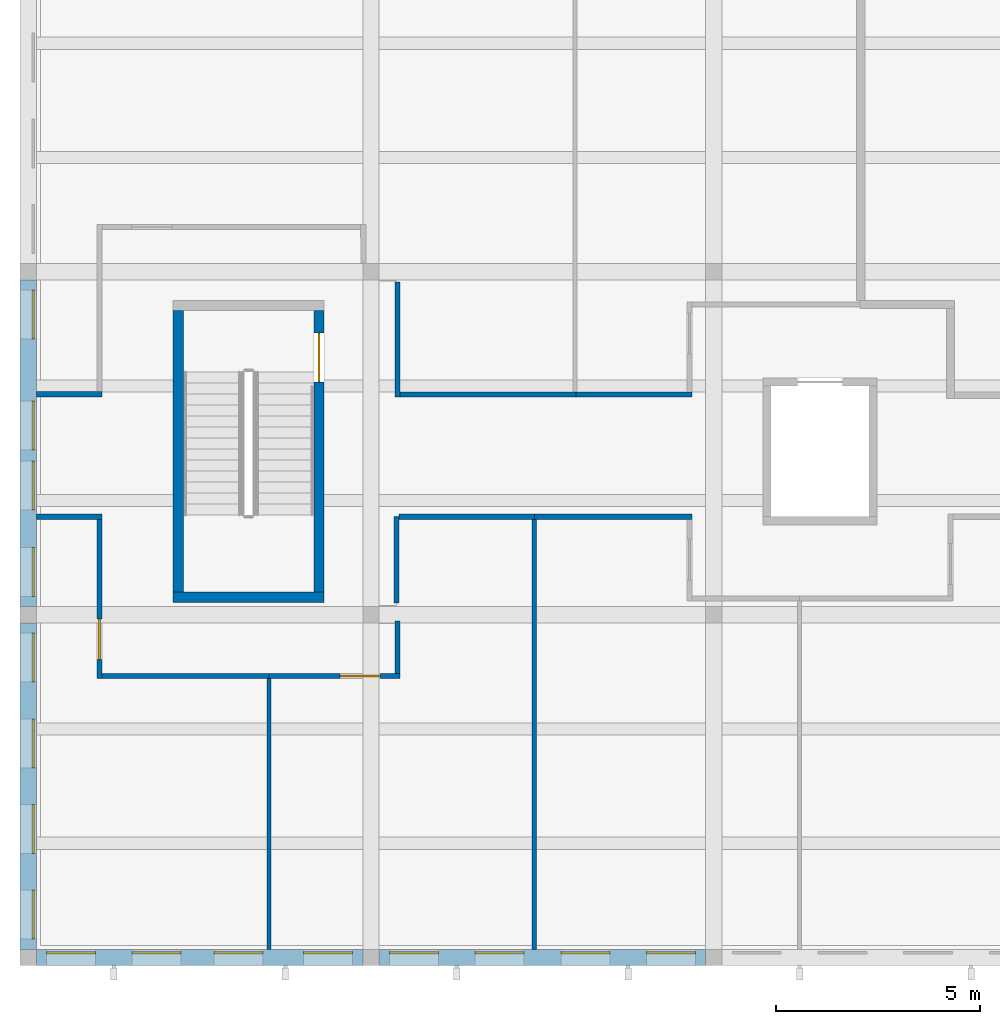
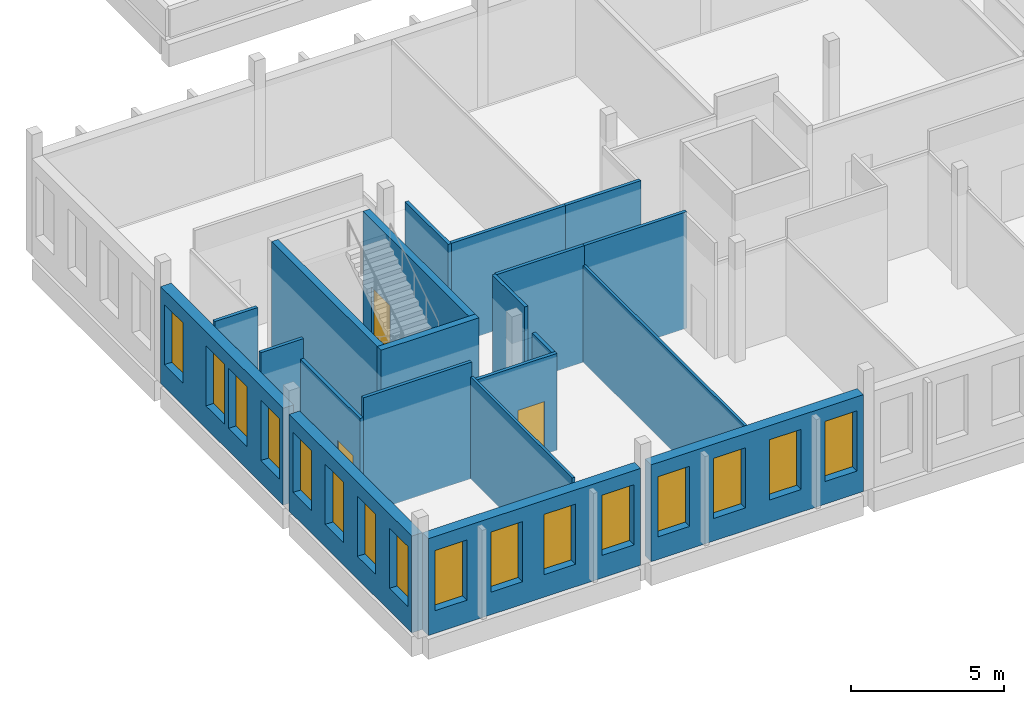
# One storey, part 8 of 79: 21 walls, 16 windows, 3 doors, 19 openings.
"""IFC4 building model written with IfcOpenShell, lengths in metres."""

from ifc_helpers import new_model, si_unit, direction, frame, frame_2d, origin, place, context, subcontext, project, spatial, rectangle, extrude, material, layer, layer_set, type_object, element, fill, save


model = new_model("IFC4")

# Units and contexts
model_context = context("Model", 3, precision=1e-05, world=origin(), true_north=direction((0.0, 1.0)))
body_context = subcontext(model_context, "Body", "Model", "MODEL_VIEW")
ifc_project = project(units=[si_unit("LENGTHUNIT", "METRE"), si_unit("AREAUNIT", "SQUARE_METRE"), si_unit("VOLUMEUNIT", "CUBIC_METRE"), si_unit("PLANEANGLEUNIT", "RADIAN"), si_unit("MASSUNIT", "GRAM", prefix="KILO")], contexts=[model_context])

# Site, building, storey
site_placement = place(None, origin())
site = spatial("IfcSite", under=ifc_project, at=site_placement, CompositionType="ELEMENT")
building_placement = place(site_placement, origin())
building = spatial("IfcBuilding", under=site, at=building_placement, Name="Larchfold Concert Hall", CompositionType="ELEMENT")
storey_placement = place(building_placement, frame((0.0, 0.0, 14.39990234375)))
storey = spatial("IfcBuildingStorey", under=building, at=storey_placement, Name="L03", CompositionType="ELEMENT", Elevation=14.39990234375)

# Wall
ifc_material_1 = material(Name="Plasterboard partition on steel studs", Category="steel")
ifc_layer_1 = layer(ifc_material_1, 0.125)
ifc_layer_set_1 = layer_set([ifc_layer_1], Name="Plasterboard partition on steel studs")
wall_type_1 = type_object("IfcWallType", Name="Corridor partition 125 EI 60", PredefinedType="PARTITIONING", material=ifc_layer_set_1)
wall_1_placement = place(storey_placement, frame((0.800048828125, 11.39990234375, 0.0), z_axis=(0.0, 0.0, 1.0), x_axis=(1.0, 0.0, 0.0)))
element("IfcWall", 1, at=wall_1_placement, inside=storey, type_object=wall_type_1, Name="Partition IW0061", PredefinedType="PARTITIONING", context=body_context, shape_type="SweptSolid", body=[
    extrude(rectangle(XDim=1.612548828125, YDim=0.125, at=frame_2d((0.80615234375, 0.0))), origin(), (0.0, 0.0, 1.0), 4.64013671875),
])

# Wall, opening, door
wall_2_placement = place(storey_placement, frame((2.35009765625, 11.33740234375, 0.0), z_axis=(0.0, 0.0, 1.0), x_axis=(0.0, -1.0, 0.0)))
wall_2 = element("IfcWall", 2, at=wall_2_placement, inside=storey, type_object=wall_type_1, Name="Partition IW0062", PredefinedType="PARTITIONING", context=body_context, shape_type="SweptSolid", body=[
    extrude(rectangle(XDim=3.89990234375, YDim=0.125, at=frame_2d((1.949951171875, 0.0))), origin(), (0.0, 0.0, 1.0), 3.860107421875),
])
opening_1_placement = place(wall_2_placement, frame((2.437255859375, 0.0, 0.0)))
opening_1 = element("IfcOpeningElement", 3, at=opening_1_placement, cuts=wall_2, Name="Opening D-L03-119", PredefinedType="OPENING", context=body_context, shape_type="SweptSolid", body=[
    extrude(rectangle(XDim=1.0, YDim=2.10009765625, at=frame_2d((0.5, 1.050048828125))), frame((0.0, 0.072509765625, 0.0), z_axis=(0.0, -1.0, 0.0), x_axis=(1.0, 0.0, 0.0)), (0.0, 0.0, 1.0), 0.14501953125),
])
ifc_material_2 = material(Name="Timber door leaf", Category="wood")
door_type_1 = type_object("IfcDoorType", Name="Room door 1000 x 2100 FD30S", OperationType="SINGLE_SWING_LEFT", PredefinedType="DOOR", material=ifc_material_2)
door_1_placement = place(opening_1_placement, origin())
door_1 = element("IfcDoor", 4, at=door_1_placement, inside=storey, type_object=door_type_1, Name="Door D-L03-119", OperationType="SINGLE_SWING_RIGHT", OverallHeight=2.10009765625, OverallWidth=1.0, PredefinedType="DOOR", context=body_context, shape_type="SweptSolid", body=[
    extrude(rectangle(XDim=1.0, YDim=2.10009765625, at=frame_2d((0.5, 1.050048828125))), frame((0.0, 0.02490234375, 0.0), z_axis=(0.0, -1.0, 0.0), x_axis=(1.0, 0.0, 0.0)), (0.0, 0.0, 1.0), 0.050048828125),
])
fill(opening_1, door_1)

# Walls
wall_3_placement = place(storey_placement, frame((2.41259765625, 7.5, 0.0), z_axis=(0.0, 0.0, 1.0), x_axis=(1.0, 0.0, 0.0)))
element("IfcWall", 5, at=wall_3_placement, inside=storey, type_object=wall_type_1, Name="Partition IW0063", PredefinedType="PARTITIONING", context=body_context, shape_type="SweptSolid", body=[
    extrude(rectangle(XDim=4.08740234375, YDim=0.125, at=frame_2d((2.043701171875, 0.0))), origin(), (0.0, 0.0, 1.0), 4.64013671875),
])
wall_4_placement = place(storey_placement, frame((13.0, 11.39990234375, 0.0), z_axis=(0.0, 0.0, 1.0), x_axis=(1.0, 0.0, 0.0)))
element("IfcWall", 6, at=wall_4_placement, inside=storey, type_object=wall_type_1, Name="Partition IW0066", PredefinedType="PARTITIONING", context=body_context, shape_type="SweptSolid", body=[
    extrude(rectangle(XDim=3.862548828125, YDim=0.125, at=frame_2d((1.93115234375, 0.0))), origin(), (0.0, 0.0, 1.0), 4.64013671875),
])

# Wall, opening, door
wall_5_placement = place(storey_placement, frame((6.5, 7.5, 0.0), z_axis=(0.0, 0.0, 1.0), x_axis=(1.0, 0.0, 0.0)))
wall_5 = element("IfcWall", 7, at=wall_5_placement, inside=storey, type_object=wall_type_1, Name="Partition IW0078", PredefinedType="PARTITIONING", context=body_context, shape_type="SweptSolid", body=[
    extrude(rectangle(XDim=3.21240234375, YDim=0.125, at=frame_2d((1.606201171875, 0.0))), origin(), (0.0, 0.0, 1.0), 3.860107421875),
])
opening_2_placement = place(wall_5_placement, frame((1.73681640625, 0.0, 0.0)))
opening_2 = element("IfcOpeningElement", 8, at=opening_2_placement, cuts=wall_5, Name="Opening D-L03-123", PredefinedType="OPENING", context=body_context, shape_type="SweptSolid", body=[
    extrude(rectangle(XDim=1.0, YDim=2.10009765625, at=frame_2d((0.5, 1.050048828125))), frame((0.0, 0.072509765625, 0.0), z_axis=(0.0, -1.0, 0.0), x_axis=(1.0, 0.0, 0.0)), (0.0, 0.0, 1.0), 0.14501953125),
])
door_2_placement = place(opening_2_placement, origin())
door_2 = element("IfcDoor", 9, at=door_2_placement, inside=storey, type_object=door_type_1, Name="Door D-L03-123", OperationType="SINGLE_SWING_RIGHT", OverallHeight=2.10009765625, OverallWidth=1.0, PredefinedType="DOOR", context=body_context, shape_type="SweptSolid", body=[
    extrude(rectangle(XDim=1.0, YDim=2.10009765625, at=frame_2d((0.5, 1.050048828125))), frame((0.0, 0.02490234375, 0.0), z_axis=(0.0, -1.0, 0.0), x_axis=(1.0, 0.0, 0.0)), (0.0, 0.0, 1.0), 0.050048828125),
])
fill(opening_2, door_2)

# Walls
wall_6_placement = place(storey_placement, frame((9.64990234375, 7.5625, 0.0), z_axis=(0.0, 0.0, 1.0), x_axis=(0.0, 1.0, 0.0)))
element("IfcWall", 10, at=wall_6_placement, inside=storey, type_object=wall_type_1, Name="Partition IW0079", PredefinedType="PARTITIONING", context=body_context, shape_type="SweptSolid", body=[
    extrude(rectangle(XDim=1.280029296875, YDim=0.125, at=frame_2d((0.64013671875, 0.0))), origin(), (0.0, 0.0, 1.0), 3.860107421875),
])
wall_7_placement = place(storey_placement, frame((9.6201171875, 9.282470703125, 0.0), z_axis=(0.0, 0.0, 1.0), x_axis=(0.0, 1.0, 0.0)))
element("IfcWall", 11, at=wall_7_placement, inside=storey, type_object=wall_type_1, Name="Partition IW0080", PredefinedType="PARTITIONING", context=body_context, shape_type="SweptSolid", body=[
    extrude(rectangle(XDim=2.118408203125, YDim=0.125, at=frame_2d((1.05908203125, 0.0))), origin(), (0.0, 0.0, 1.0), 4.64013671875),
])
wall_8_placement = place(storey_placement, frame((9.68505859375, 11.39990234375, 0.0), z_axis=(0.0, 0.0, 1.0), x_axis=(1.0, 0.0, 0.0)))
element("IfcWall", 12, at=wall_8_placement, inside=storey, type_object=wall_type_1, Name="Partition IW0081", PredefinedType="PARTITIONING", context=body_context, shape_type="SweptSolid", body=[
    extrude(rectangle(XDim=3.31494140625, YDim=0.125, at=frame_2d((1.657470703125, 0.0))), origin(), (0.0, 0.0, 1.0), 4.64013671875),
])
wall_9_placement = place(storey_placement, frame((0.800048828125, 14.39990234375, 0.0), z_axis=(0.0, 0.0, 1.0), x_axis=(1.0, 0.0, 0.0)))
element("IfcWall", 13, at=wall_9_placement, inside=storey, type_object=wall_type_1, Name="Partition IW0085", PredefinedType="PARTITIONING", context=body_context, shape_type="SweptSolid", body=[
    extrude(rectangle(XDim=1.613525390625, YDim=0.125, at=frame_2d((0.806640625, 0.0))), origin(), (0.0, 0.0, 1.0), 4.06005859375),
])
wall_10_placement = place(storey_placement, frame((9.64892578125, 17.1474609375, 0.0), z_axis=(0.0, 0.0, 1.0), x_axis=(0.00034740314, -0.999999939656, 0.0)))
element("IfcWall", 14, at=wall_10_placement, inside=storey, type_object=wall_type_1, Name="Partition IW0089", PredefinedType="PARTITIONING", context=body_context, shape_type="SweptSolid", body=[
    extrude(rectangle(XDim=2.81103515625, YDim=0.125, at=frame_2d((1.405517578125, 0.0))), origin(), (0.0, 0.0, 1.0), 4.06005859375),
])
wall_11_placement = place(storey_placement, frame((9.71240234375, 14.39892578125, 0.0), z_axis=(0.0, 0.0, 1.0), x_axis=(1.0, 0.0, 0.0)))
element("IfcWall", 15, at=wall_11_placement, inside=storey, type_object=wall_type_1, Name="Partition IW0090", PredefinedType="PARTITIONING", context=body_context, shape_type="SweptSolid", body=[
    extrude(rectangle(XDim=4.3076171875, YDim=0.125, at=frame_2d((2.15380859375, 0.0))), origin(), (0.0, 0.0, 1.0), 4.06005859375),
])
wall_12_placement = place(storey_placement, frame((14.02001953125, 14.39892578125, 0.0), z_axis=(0.0, 0.0, 1.0), x_axis=(1.0, 0.0, 0.0)))
element("IfcWall", 16, at=wall_12_placement, inside=storey, type_object=wall_type_1, Name="Partition IW0102", PredefinedType="PARTITIONING", context=body_context, shape_type="SweptSolid", body=[
    extrude(rectangle(XDim=2.842529296875, YDim=0.125, at=frame_2d((1.42138671875, 0.0))), origin(), (0.0, 0.0, 1.0), 4.06005859375),
])

# Wall, openings, windows
ifc_material_3 = material(Name="Larch cladding on mineral wool and CLT", Category="wood")
ifc_layer_2 = layer(ifc_material_3, 0.39990234375)
ifc_layer_set_2 = layer_set([ifc_layer_2], Name="Larch cladding on mineral wool and CLT")
wall_type_2 = type_object("IfcWallType", Name="Larch clad infill wall 400", PredefinedType="SOLIDWALL", material=ifc_layer_set_2)
wall_13_placement = place(storey_placement, frame((0.60009765625, 17.199951171875, 0.0), z_axis=(0.0, 0.0, 1.0), x_axis=(0.0, -1.0, 0.0)))
wall_13 = element("IfcWall", 17, at=wall_13_placement, inside=storey, type_object=wall_type_2, Name="Infill wall W5061", PredefinedType="SOLIDWALL", context=body_context, shape_type="SweptSolid", body=[
    extrude(rectangle(XDim=8.0, YDim=0.39990234375, at=frame_2d((4.0, 0.0))), origin(), (0.0, 0.0, 1.0), 3.860107421875),
])
opening_3_placement = place(wall_13_placement, frame((6.550048828125, 0.0, 0.89990234375)))
opening_3 = element("IfcOpeningElement", 18, at=opening_3_placement, cuts=wall_13, Name="Opening WN-L03-028", PredefinedType="OPENING", context=body_context, shape_type="SweptSolid", body=[
    extrude(rectangle(XDim=1.199951171875, YDim=2.39990234375, at=frame_2d((0.60009765625, 1.199951171875))), frame((0.0, 0.2099609375, 0.0), z_axis=(0.0, -1.0, 0.0), x_axis=(1.0, 0.0, 0.0)), (0.0, 0.0, 1.0), 0.419921875),
])
opening_4_placement = place(wall_13_placement, frame((4.43505859375, 0.0, 0.89990234375)))
opening_4 = element("IfcOpeningElement", 19, at=opening_4_placement, cuts=wall_13, Name="Opening WN-L03-029", PredefinedType="OPENING", context=body_context, shape_type="SweptSolid", body=[
    extrude(rectangle(XDim=1.199951171875, YDim=2.39990234375, at=frame_2d((0.60009765625, 1.199951171875))), frame((0.0, 0.2099609375, 0.0), z_axis=(0.0, -1.0, 0.0), x_axis=(1.0, 0.0, 0.0)), (0.0, 0.0, 1.0), 0.419921875),
])
opening_5_placement = place(wall_13_placement, frame((2.96484375, 0.0, 0.89990234375)))
opening_5 = element("IfcOpeningElement", 20, at=opening_5_placement, cuts=wall_13, Name="Opening WN-L03-030", PredefinedType="OPENING", context=body_context, shape_type="SweptSolid", body=[
    extrude(rectangle(XDim=1.199951171875, YDim=2.39990234375, at=frame_2d((0.60009765625, 1.199951171875))), frame((0.0, 0.2099609375, 0.0), z_axis=(0.0, -1.0, 0.0), x_axis=(1.0, 0.0, 0.0)), (0.0, 0.0, 1.0), 0.419921875),
])
opening_6_placement = place(wall_13_placement, frame((0.25, 0.0, 0.89990234375)))
opening_6 = element("IfcOpeningElement", 21, at=opening_6_placement, cuts=wall_13, Name="Opening WN-L03-031", PredefinedType="OPENING", context=body_context, shape_type="SweptSolid", body=[
    extrude(rectangle(XDim=1.199951171875, YDim=2.39990234375, at=frame_2d((0.60009765625, 1.199951171875))), frame((0.0, 0.2099609375, 0.0), z_axis=(0.0, -1.0, 0.0), x_axis=(1.0, 0.0, 0.0)), (0.0, 0.0, 1.0), 0.419921875),
])
ifc_material_4 = material(Name="Anodised graphite aluminium frame with glass", Category="aluminium")
window_type = type_object("IfcWindowType", Name="Slot window 1200x2400", PartitioningType="SINGLE_PANEL", PredefinedType="WINDOW", material=ifc_material_4)
window_1_placement = place(opening_3_placement, origin())
window_1 = element("IfcWindow", 22, at=window_1_placement, inside=storey, type_object=window_type, Name="Window WN-L03-028", OverallHeight=2.39990234375, OverallWidth=1.199951171875, PartitioningType="SINGLE_PANEL", PredefinedType="WINDOW", context=body_context, shape_type="SweptSolid", body=[
    extrude(rectangle(XDim=1.199951171875, YDim=2.39990234375, at=frame_2d((0.60009765625, 1.199951171875))), frame((0.0, 0.150146484375, 0.0), z_axis=(0.0, -1.0, 0.0), x_axis=(1.0, 0.0, 0.0)), (0.0, 0.0, 1.0), 0.06005859375),
])
fill(opening_3, window_1)
window_2_placement = place(opening_4_placement, origin())
window_2 = element("IfcWindow", 23, at=window_2_placement, inside=storey, type_object=window_type, Name="Window WN-L03-029", OverallHeight=2.39990234375, OverallWidth=1.199951171875, PartitioningType="SINGLE_PANEL", PredefinedType="WINDOW", context=body_context, shape_type="SweptSolid", body=[
    extrude(rectangle(XDim=1.199951171875, YDim=2.39990234375, at=frame_2d((0.60009765625, 1.199951171875))), frame((0.0, 0.150146484375, 0.0), z_axis=(0.0, -1.0, 0.0), x_axis=(1.0, 0.0, 0.0)), (0.0, 0.0, 1.0), 0.06005859375),
])
fill(opening_4, window_2)
window_3_placement = place(opening_5_placement, origin())
window_3 = element("IfcWindow", 24, at=window_3_placement, inside=storey, type_object=window_type, Name="Window WN-L03-030", OverallHeight=2.39990234375, OverallWidth=1.199951171875, PartitioningType="SINGLE_PANEL", PredefinedType="WINDOW", context=body_context, shape_type="SweptSolid", body=[
    extrude(rectangle(XDim=1.199951171875, YDim=2.39990234375, at=frame_2d((0.60009765625, 1.199951171875))), frame((0.0, 0.150146484375, 0.0), z_axis=(0.0, -1.0, 0.0), x_axis=(1.0, 0.0, 0.0)), (0.0, 0.0, 1.0), 0.06005859375),
])
fill(opening_5, window_3)
window_4_placement = place(opening_6_placement, origin())
window_4 = element("IfcWindow", 25, at=window_4_placement, inside=storey, type_object=window_type, Name="Window WN-L03-031", OverallHeight=2.39990234375, OverallWidth=1.199951171875, PartitioningType="SINGLE_PANEL", PredefinedType="WINDOW", context=body_context, shape_type="SweptSolid", body=[
    extrude(rectangle(XDim=1.199951171875, YDim=2.39990234375, at=frame_2d((0.60009765625, 1.199951171875))), frame((0.0, 0.150146484375, 0.0), z_axis=(0.0, -1.0, 0.0), x_axis=(1.0, 0.0, 0.0)), (0.0, 0.0, 1.0), 0.06005859375),
])
fill(opening_6, window_4)

wall_14_placement = place(storey_placement, frame((0.60009765625, 8.800048828125, 0.0), z_axis=(0.0, 0.0, 1.0), x_axis=(0.0, -1.0, 0.0)))
wall_14 = element("IfcWall", 26, at=wall_14_placement, inside=storey, type_object=wall_type_2, Name="Infill wall W5062", PredefinedType="SOLIDWALL", context=body_context, shape_type="SweptSolid", body=[
    extrude(rectangle(XDim=8.0, YDim=0.39990234375, at=frame_2d((4.0, 0.0))), origin(), (0.0, 0.0, 1.0), 3.860107421875),
])
opening_7_placement = place(wall_14_placement, frame((6.550048828125, 0.0, 0.89990234375)))
opening_7 = element("IfcOpeningElement", 27, at=opening_7_placement, cuts=wall_14, Name="Opening WN-L03-032", PredefinedType="OPENING", context=body_context, shape_type="SweptSolid", body=[
    extrude(rectangle(XDim=1.199951171875, YDim=2.39990234375, at=frame_2d((0.60009765625, 1.199951171875))), frame((0.0, 0.2099609375, 0.0), z_axis=(0.0, -1.0, 0.0), x_axis=(1.0, 0.0, 0.0)), (0.0, 0.0, 1.0), 0.419921875),
])
opening_8_placement = place(wall_14_placement, frame((4.449951171875, 0.0, 0.89990234375)))
opening_8 = element("IfcOpeningElement", 28, at=opening_8_placement, cuts=wall_14, Name="Opening WN-L03-033", PredefinedType="OPENING", context=body_context, shape_type="SweptSolid", body=[
    extrude(rectangle(XDim=1.199951171875, YDim=2.39990234375, at=frame_2d((0.60009765625, 1.199951171875))), frame((0.0, 0.2099609375, 0.0), z_axis=(0.0, -1.0, 0.0), x_axis=(1.0, 0.0, 0.0)), (0.0, 0.0, 1.0), 0.419921875),
])
opening_9_placement = place(wall_14_placement, frame((2.35009765625, 0.0, 0.89990234375)))
opening_9 = element("IfcOpeningElement", 29, at=opening_9_placement, cuts=wall_14, Name="Opening WN-L03-034", PredefinedType="OPENING", context=body_context, shape_type="SweptSolid", body=[
    extrude(rectangle(XDim=1.199951171875, YDim=2.39990234375, at=frame_2d((0.60009765625, 1.199951171875))), frame((0.0, 0.2099609375, 0.0), z_axis=(0.0, -1.0, 0.0), x_axis=(1.0, 0.0, 0.0)), (0.0, 0.0, 1.0), 0.419921875),
])
opening_10_placement = place(wall_14_placement, frame((0.25, 0.0, 0.89990234375)))
opening_10 = element("IfcOpeningElement", 30, at=opening_10_placement, cuts=wall_14, Name="Opening WN-L03-035", PredefinedType="OPENING", context=body_context, shape_type="SweptSolid", body=[
    extrude(rectangle(XDim=1.199951171875, YDim=2.39990234375, at=frame_2d((0.60009765625, 1.199951171875))), frame((0.0, 0.2099609375, 0.0), z_axis=(0.0, -1.0, 0.0), x_axis=(1.0, 0.0, 0.0)), (0.0, 0.0, 1.0), 0.419921875),
])
window_5_placement = place(opening_7_placement, origin())
window_5 = element("IfcWindow", 31, at=window_5_placement, inside=storey, type_object=window_type, Name="Window WN-L03-032", OverallHeight=2.39990234375, OverallWidth=1.199951171875, PartitioningType="SINGLE_PANEL", PredefinedType="WINDOW", context=body_context, shape_type="SweptSolid", body=[
    extrude(rectangle(XDim=1.199951171875, YDim=2.39990234375, at=frame_2d((0.60009765625, 1.199951171875))), frame((0.0, 0.150146484375, 0.0), z_axis=(0.0, -1.0, 0.0), x_axis=(1.0, 0.0, 0.0)), (0.0, 0.0, 1.0), 0.06005859375),
])
fill(opening_7, window_5)
window_6_placement = place(opening_8_placement, origin())
window_6 = element("IfcWindow", 32, at=window_6_placement, inside=storey, type_object=window_type, Name="Window WN-L03-033", OverallHeight=2.39990234375, OverallWidth=1.199951171875, PartitioningType="SINGLE_PANEL", PredefinedType="WINDOW", context=body_context, shape_type="SweptSolid", body=[
    extrude(rectangle(XDim=1.199951171875, YDim=2.39990234375, at=frame_2d((0.60009765625, 1.199951171875))), frame((0.0, 0.150146484375, 0.0), z_axis=(0.0, -1.0, 0.0), x_axis=(1.0, 0.0, 0.0)), (0.0, 0.0, 1.0), 0.06005859375),
])
fill(opening_8, window_6)
window_7_placement = place(opening_9_placement, origin())
window_7 = element("IfcWindow", 33, at=window_7_placement, inside=storey, type_object=window_type, Name="Window WN-L03-034", OverallHeight=2.39990234375, OverallWidth=1.199951171875, PartitioningType="SINGLE_PANEL", PredefinedType="WINDOW", context=body_context, shape_type="SweptSolid", body=[
    extrude(rectangle(XDim=1.199951171875, YDim=2.39990234375, at=frame_2d((0.60009765625, 1.199951171875))), frame((0.0, 0.150146484375, 0.0), z_axis=(0.0, -1.0, 0.0), x_axis=(1.0, 0.0, 0.0)), (0.0, 0.0, 1.0), 0.06005859375),
])
fill(opening_9, window_7)
window_8_placement = place(opening_10_placement, origin())
window_8 = element("IfcWindow", 34, at=window_8_placement, inside=storey, type_object=window_type, Name="Window WN-L03-035", OverallHeight=2.39990234375, OverallWidth=1.199951171875, PartitioningType="SINGLE_PANEL", PredefinedType="WINDOW", context=body_context, shape_type="SweptSolid", body=[
    extrude(rectangle(XDim=1.199951171875, YDim=2.39990234375, at=frame_2d((0.60009765625, 1.199951171875))), frame((0.0, 0.150146484375, 0.0), z_axis=(0.0, -1.0, 0.0), x_axis=(1.0, 0.0, 0.0)), (0.0, 0.0, 1.0), 0.06005859375),
])
fill(opening_10, window_8)

wall_15_placement = place(storey_placement, frame((0.800048828125, 0.60009765625, 0.0), z_axis=(0.0, 0.0, 1.0), x_axis=(1.0, 0.0, 0.0)))
wall_15 = element("IfcWall", 35, at=wall_15_placement, inside=storey, type_object=wall_type_2, Name="Infill wall W5063", PredefinedType="SOLIDWALL", context=body_context, shape_type="SweptSolid", body=[
    extrude(rectangle(XDim=8.0, YDim=0.39990234375, at=frame_2d((4.0, 0.0))), origin(), (0.0, 0.0, 1.0), 3.860107421875),
])
opening_11_placement = place(wall_15_placement, frame((0.25, 0.0, 0.89990234375)))
opening_11 = element("IfcOpeningElement", 36, at=opening_11_placement, cuts=wall_15, Name="Opening WN-L03-036", PredefinedType="OPENING", context=body_context, shape_type="SweptSolid", body=[
    extrude(rectangle(XDim=1.199951171875, YDim=2.39990234375, at=frame_2d((0.60009765625, 1.199951171875))), frame((0.0, 0.2099609375, 0.0), z_axis=(0.0, -1.0, 0.0), x_axis=(1.0, 0.0, 0.0)), (0.0, 0.0, 1.0), 0.419921875),
])
opening_12_placement = place(wall_15_placement, frame((2.349853515625, 0.0, 0.89990234375)))
opening_12 = element("IfcOpeningElement", 37, at=opening_12_placement, cuts=wall_15, Name="Opening WN-L03-037", PredefinedType="OPENING", context=body_context, shape_type="SweptSolid", body=[
    extrude(rectangle(XDim=1.199951171875, YDim=2.39990234375, at=frame_2d((0.60009765625, 1.199951171875))), frame((0.0, 0.2099609375, 0.0), z_axis=(0.0, -1.0, 0.0), x_axis=(1.0, 0.0, 0.0)), (0.0, 0.0, 1.0), 0.419921875),
])
opening_13_placement = place(wall_15_placement, frame((4.349853515625, 0.0, 0.89990234375)))
opening_13 = element("IfcOpeningElement", 38, at=opening_13_placement, cuts=wall_15, Name="Opening WN-L03-038", PredefinedType="OPENING", context=body_context, shape_type="SweptSolid", body=[
    extrude(rectangle(XDim=1.199951171875, YDim=2.39990234375, at=frame_2d((0.60009765625, 1.199951171875))), frame((0.0, 0.2099609375, 0.0), z_axis=(0.0, -1.0, 0.0), x_axis=(1.0, 0.0, 0.0)), (0.0, 0.0, 1.0), 0.419921875),
])
opening_14_placement = place(wall_15_placement, frame((6.550048828125, 0.0, 0.89990234375)))
opening_14 = element("IfcOpeningElement", 39, at=opening_14_placement, cuts=wall_15, Name="Opening WN-L03-039", PredefinedType="OPENING", context=body_context, shape_type="SweptSolid", body=[
    extrude(rectangle(XDim=1.199951171875, YDim=2.39990234375, at=frame_2d((0.60009765625, 1.199951171875))), frame((0.0, 0.2099609375, 0.0), z_axis=(0.0, -1.0, 0.0), x_axis=(1.0, 0.0, 0.0)), (0.0, 0.0, 1.0), 0.419921875),
])
window_9_placement = place(opening_11_placement, origin())
window_9 = element("IfcWindow", 40, at=window_9_placement, inside=storey, type_object=window_type, Name="Window WN-L03-036", OverallHeight=2.39990234375, OverallWidth=1.199951171875, PartitioningType="SINGLE_PANEL", PredefinedType="WINDOW", context=body_context, shape_type="SweptSolid", body=[
    extrude(rectangle(XDim=1.199951171875, YDim=2.39990234375, at=frame_2d((0.60009765625, 1.199951171875))), frame((0.0, 0.150146484375, 0.0), z_axis=(0.0, -1.0, 0.0), x_axis=(1.0, 0.0, 0.0)), (0.0, 0.0, 1.0), 0.06005859375),
])
fill(opening_11, window_9)
window_10_placement = place(opening_12_placement, origin())
window_10 = element("IfcWindow", 41, at=window_10_placement, inside=storey, type_object=window_type, Name="Window WN-L03-037", OverallHeight=2.39990234375, OverallWidth=1.199951171875, PartitioningType="SINGLE_PANEL", PredefinedType="WINDOW", context=body_context, shape_type="SweptSolid", body=[
    extrude(rectangle(XDim=1.199951171875, YDim=2.39990234375, at=frame_2d((0.60009765625, 1.199951171875))), frame((0.0, 0.150146484375, 0.0), z_axis=(0.0, -1.0, 0.0), x_axis=(1.0, 0.0, 0.0)), (0.0, 0.0, 1.0), 0.06005859375),
])
fill(opening_12, window_10)
window_11_placement = place(opening_13_placement, origin())
window_11 = element("IfcWindow", 42, at=window_11_placement, inside=storey, type_object=window_type, Name="Window WN-L03-038", OverallHeight=2.39990234375, OverallWidth=1.199951171875, PartitioningType="SINGLE_PANEL", PredefinedType="WINDOW", context=body_context, shape_type="SweptSolid", body=[
    extrude(rectangle(XDim=1.199951171875, YDim=2.39990234375, at=frame_2d((0.60009765625, 1.199951171875))), frame((0.0, 0.150146484375, 0.0), z_axis=(0.0, -1.0, 0.0), x_axis=(1.0, 0.0, 0.0)), (0.0, 0.0, 1.0), 0.06005859375),
])
fill(opening_13, window_11)
window_12_placement = place(opening_14_placement, origin())
window_12 = element("IfcWindow", 43, at=window_12_placement, inside=storey, type_object=window_type, Name="Window WN-L03-039", OverallHeight=2.39990234375, OverallWidth=1.199951171875, PartitioningType="SINGLE_PANEL", PredefinedType="WINDOW", context=body_context, shape_type="SweptSolid", body=[
    extrude(rectangle(XDim=1.199951171875, YDim=2.39990234375, at=frame_2d((0.60009765625, 1.199951171875))), frame((0.0, 0.150146484375, 0.0), z_axis=(0.0, -1.0, 0.0), x_axis=(1.0, 0.0, 0.0)), (0.0, 0.0, 1.0), 0.06005859375),
])
fill(opening_14, window_12)

wall_16_placement = place(storey_placement, frame((9.199951171875, 0.60009765625, 0.0), z_axis=(0.0, 0.0, 1.0), x_axis=(1.0, 0.0, 0.0)))
wall_16 = element("IfcWall", 44, at=wall_16_placement, inside=storey, type_object=wall_type_2, Name="Infill wall W5064", PredefinedType="SOLIDWALL", context=body_context, shape_type="SweptSolid", body=[
    extrude(rectangle(XDim=8.0, YDim=0.39990234375, at=frame_2d((4.0, 0.0))), origin(), (0.0, 0.0, 1.0), 3.860107421875),
])
opening_15_placement = place(wall_16_placement, frame((0.25, 0.0, 0.89990234375)))
opening_15 = element("IfcOpeningElement", 45, at=opening_15_placement, cuts=wall_16, Name="Opening WN-L03-040", PredefinedType="OPENING", context=body_context, shape_type="SweptSolid", body=[
    extrude(rectangle(XDim=1.199951171875, YDim=2.39990234375, at=frame_2d((0.60009765625, 1.199951171875))), frame((0.0, 0.2099609375, 0.0), z_axis=(0.0, -1.0, 0.0), x_axis=(1.0, 0.0, 0.0)), (0.0, 0.0, 1.0), 0.419921875),
])
opening_16_placement = place(wall_16_placement, frame((2.35009765625, 0.0, 0.89990234375)))
opening_16 = element("IfcOpeningElement", 46, at=opening_16_placement, cuts=wall_16, Name="Opening WN-L03-041", PredefinedType="OPENING", context=body_context, shape_type="SweptSolid", body=[
    extrude(rectangle(XDim=1.199951171875, YDim=2.39990234375, at=frame_2d((0.60009765625, 1.199951171875))), frame((0.0, 0.2099609375, 0.0), z_axis=(0.0, -1.0, 0.0), x_axis=(1.0, 0.0, 0.0)), (0.0, 0.0, 1.0), 0.419921875),
])
opening_17_placement = place(wall_16_placement, frame((4.449951171875, 0.0, 0.89990234375)))
opening_17 = element("IfcOpeningElement", 47, at=opening_17_placement, cuts=wall_16, Name="Opening WN-L03-042", PredefinedType="OPENING", context=body_context, shape_type="SweptSolid", body=[
    extrude(rectangle(XDim=1.199951171875, YDim=2.39990234375, at=frame_2d((0.60009765625, 1.199951171875))), frame((0.0, 0.2099609375, 0.0), z_axis=(0.0, -1.0, 0.0), x_axis=(1.0, 0.0, 0.0)), (0.0, 0.0, 1.0), 0.419921875),
])
opening_18_placement = place(wall_16_placement, frame((6.550048828125, 0.0, 0.89990234375)))
opening_18 = element("IfcOpeningElement", 48, at=opening_18_placement, cuts=wall_16, Name="Opening WN-L03-043", PredefinedType="OPENING", context=body_context, shape_type="SweptSolid", body=[
    extrude(rectangle(XDim=1.199951171875, YDim=2.39990234375, at=frame_2d((0.60009765625, 1.199951171875))), frame((0.0, 0.2099609375, 0.0), z_axis=(0.0, -1.0, 0.0), x_axis=(1.0, 0.0, 0.0)), (0.0, 0.0, 1.0), 0.419921875),
])
window_13_placement = place(opening_15_placement, origin())
window_13 = element("IfcWindow", 49, at=window_13_placement, inside=storey, type_object=window_type, Name="Window WN-L03-040", OverallHeight=2.39990234375, OverallWidth=1.199951171875, PartitioningType="SINGLE_PANEL", PredefinedType="WINDOW", context=body_context, shape_type="SweptSolid", body=[
    extrude(rectangle(XDim=1.199951171875, YDim=2.39990234375, at=frame_2d((0.60009765625, 1.199951171875))), frame((0.0, 0.150146484375, 0.0), z_axis=(0.0, -1.0, 0.0), x_axis=(1.0, 0.0, 0.0)), (0.0, 0.0, 1.0), 0.06005859375),
])
fill(opening_15, window_13)
window_14_placement = place(opening_16_placement, origin())
window_14 = element("IfcWindow", 50, at=window_14_placement, inside=storey, type_object=window_type, Name="Window WN-L03-041", OverallHeight=2.39990234375, OverallWidth=1.199951171875, PartitioningType="SINGLE_PANEL", PredefinedType="WINDOW", context=body_context, shape_type="SweptSolid", body=[
    extrude(rectangle(XDim=1.199951171875, YDim=2.39990234375, at=frame_2d((0.60009765625, 1.199951171875))), frame((0.0, 0.150146484375, 0.0), z_axis=(0.0, -1.0, 0.0), x_axis=(1.0, 0.0, 0.0)), (0.0, 0.0, 1.0), 0.06005859375),
])
fill(opening_16, window_14)
window_15_placement = place(opening_17_placement, origin())
window_15 = element("IfcWindow", 51, at=window_15_placement, inside=storey, type_object=window_type, Name="Window WN-L03-042", OverallHeight=2.39990234375, OverallWidth=1.199951171875, PartitioningType="SINGLE_PANEL", PredefinedType="WINDOW", context=body_context, shape_type="SweptSolid", body=[
    extrude(rectangle(XDim=1.199951171875, YDim=2.39990234375, at=frame_2d((0.60009765625, 1.199951171875))), frame((0.0, 0.150146484375, 0.0), z_axis=(0.0, -1.0, 0.0), x_axis=(1.0, 0.0, 0.0)), (0.0, 0.0, 1.0), 0.06005859375),
])
fill(opening_17, window_15)
window_16_placement = place(opening_18_placement, origin())
window_16 = element("IfcWindow", 52, at=window_16_placement, inside=storey, type_object=window_type, Name="Window WN-L03-043", OverallHeight=2.39990234375, OverallWidth=1.199951171875, PartitioningType="SINGLE_PANEL", PredefinedType="WINDOW", context=body_context, shape_type="SweptSolid", body=[
    extrude(rectangle(XDim=1.199951171875, YDim=2.39990234375, at=frame_2d((0.60009765625, 1.199951171875))), frame((0.0, 0.150146484375, 0.0), z_axis=(0.0, -1.0, 0.0), x_axis=(1.0, 0.0, 0.0)), (0.0, 0.0, 1.0), 0.06005859375),
])
fill(opening_18, window_16)

# Walls
ifc_material_5 = material(Name="Plasterboard partition on steel studs", Category="steel")
ifc_layer_3 = layer(ifc_material_5, 0.10009765625)
ifc_layer_set_3 = layer_set([ifc_layer_3], Name="Plasterboard partition on steel studs")
wall_type_3 = type_object("IfcWallType", Name="Stud partition 100", PredefinedType="PARTITIONING", material=ifc_layer_set_3)
wall_17_placement = place(storey_placement, frame((6.5, 7.4375, 0.0), z_axis=(0.0, 0.0, 1.0), x_axis=(0.0, -1.0, 0.0)))
element("IfcWall", 53, at=wall_17_placement, inside=storey, type_object=wall_type_3, Name="Partition IW0060", PredefinedType="PARTITIONING", context=body_context, shape_type="SweptSolid", body=[
    extrude(rectangle(XDim=6.637451171875, YDim=0.10009765625, at=frame_2d((3.31884765625, 0.0))), origin(), (0.0, 0.0, 1.0), 4.06005859375),
])
wall_18_placement = place(storey_placement, frame((13.0, 0.800048828125, 0.0), z_axis=(0.0, 0.0, 1.0), x_axis=(0.0, 1.0, 0.0)))
element("IfcWall", 54, at=wall_18_placement, inside=storey, type_object=wall_type_3, Name="Partition IW0064", PredefinedType="PARTITIONING", context=body_context, shape_type="SweptSolid", body=[
    extrude(rectangle(XDim=10.537353515625, YDim=0.10009765625, at=frame_2d((5.2685546875, 0.0))), origin(), (0.0, 0.0, 1.0), 3.860107421875),
])
ifc_material_6 = material(Name="Concrete C40/50", Category="concrete")
ifc_layer_4 = layer(ifc_material_6, 0.25)
ifc_layer_set_4 = layer_set([ifc_layer_4], Name="Concrete C40/50")
wall_type_4 = type_object("IfcWallType", Name="Wall RC 250 stair core", PredefinedType="SOLIDWALL", material=ifc_layer_set_4)
wall_19_placement = place(storey_placement, frame((4.14990234375, 9.425048828125, 0.0), z_axis=(0.0, 0.0, 1.0), x_axis=(1.0, 0.0, 0.0)))
element("IfcWall", 55, at=wall_19_placement, inside=storey, type_object=wall_type_4, Name="Wall W0102", PredefinedType="SOLIDWALL", context=body_context, shape_type="SweptSolid", body=[
    extrude(rectangle(XDim=3.7001953125, YDim=0.25, at=frame_2d((1.85009765625, 0.0))), origin(), (0.0, 0.0, 1.0), 4.800048828125),
])
wall_20_placement = place(storey_placement, frame((4.27490234375, 9.550048828125, 0.0), z_axis=(0.0, 0.0, 1.0), x_axis=(0.0, 1.0, 0.0)))
element("IfcWall", 56, at=wall_20_placement, inside=storey, type_object=wall_type_4, Name="Wall W0104", PredefinedType="SOLIDWALL", context=body_context, shape_type="SweptSolid", body=[
    extrude(rectangle(XDim=6.89990234375, YDim=0.25, at=frame_2d((3.449951171875, 0.0))), origin(), (0.0, 0.0, 1.0), 4.800048828125),
])

# Wall, opening, door
wall_21_placement = place(storey_placement, frame((7.72509765625, 9.550048828125, 0.0), z_axis=(0.0, 0.0, 1.0), x_axis=(0.0, 1.0, 0.0)))
wall_21 = element("IfcWall", 57, at=wall_21_placement, inside=storey, type_object=wall_type_4, Name="Wall W0105", PredefinedType="SOLIDWALL", context=body_context, shape_type="SweptSolid", body=[
    extrude(rectangle(XDim=6.89990234375, YDim=0.25, at=frame_2d((3.449951171875, 0.0))), origin(), (0.0, 0.0, 1.0), 4.800048828125),
])
opening_19_placement = place(wall_21_placement, frame((5.14990234375, 0.0, 0.0)))
opening_19 = element("IfcOpeningElement", 58, at=opening_19_placement, cuts=wall_21, Name="Opening D-L03-147", PredefinedType="OPENING", context=body_context, shape_type="SweptSolid", body=[
    extrude(rectangle(XDim=1.199951171875, YDim=2.10009765625, at=frame_2d((0.60009765625, 1.050048828125))), frame((0.0, 0.135009765625, 0.0), z_axis=(0.0, -1.0, 0.0), x_axis=(1.0, 0.0, 0.0)), (0.0, 0.0, 1.0), 0.27001953125),
])
ifc_material_7 = material(Name="Timber door leaf", Category="wood")
door_type_2 = type_object("IfcDoorType", Name="Stair enclosure door pair 1200 x 2100 FD60", OperationType="SINGLE_SWING_LEFT", PredefinedType="DOOR", material=ifc_material_7)
door_3_placement = place(opening_19_placement, origin())
door_3 = element("IfcDoor", 59, at=door_3_placement, inside=storey, type_object=door_type_2, Name="Door D-L03-147", OperationType="DOUBLE_DOOR_SINGLE_SWING", OverallHeight=2.10009765625, OverallWidth=1.199951171875, PredefinedType="DOOR", context=body_context, shape_type="SweptSolid", body=[
    extrude(rectangle(XDim=1.199951171875, YDim=2.10009765625, at=frame_2d((0.60009765625, 1.050048828125))), frame((0.0, 0.02490234375, 0.0), z_axis=(0.0, -1.0, 0.0), x_axis=(1.0, 0.0, 0.0)), (0.0, 0.0, 1.0), 0.050048828125),
])
fill(opening_19, door_3)

save(model, "model.ifc")
